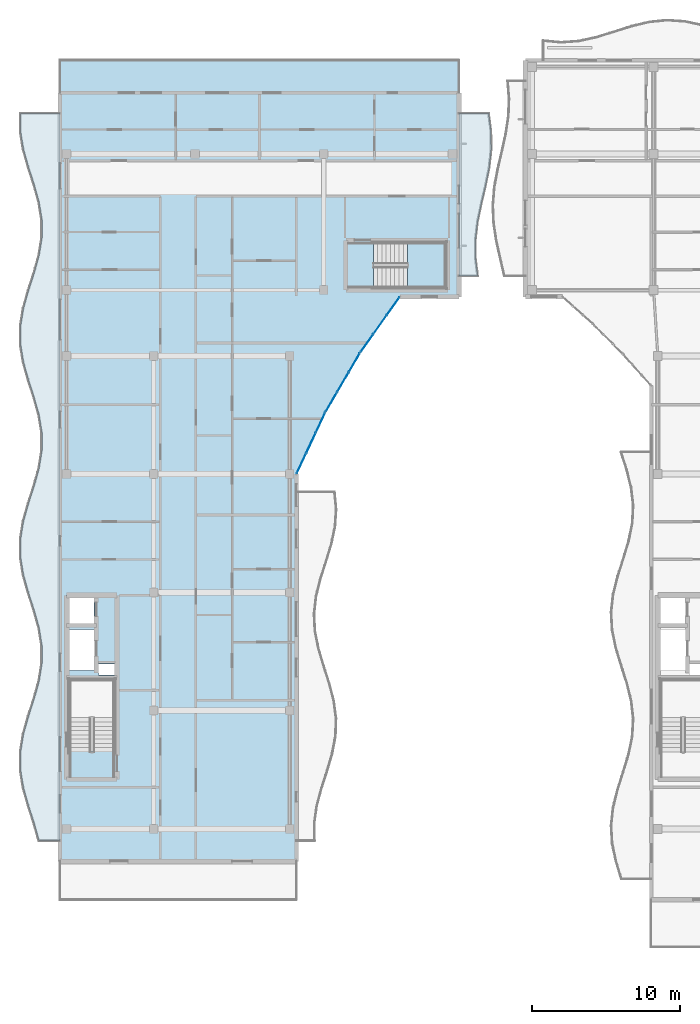
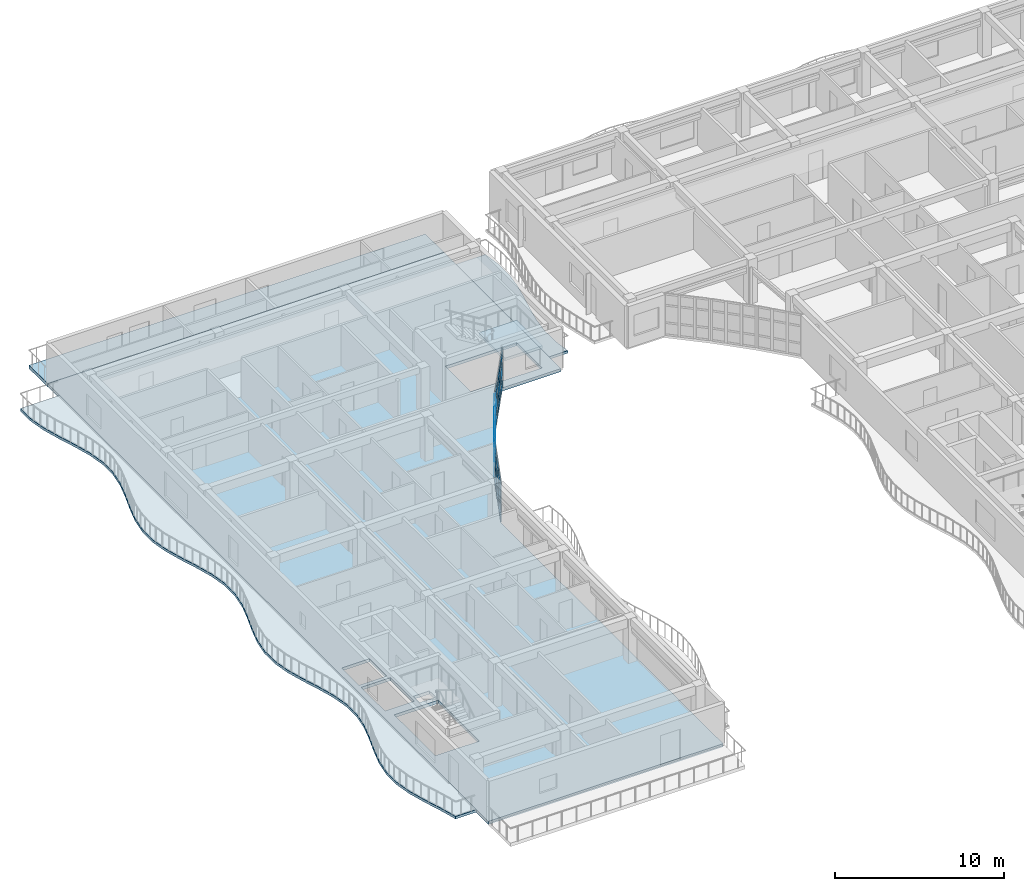
# One storey, part 23 of 71: 27 plates, 5 slabs, 4 elements without a shape of their own.
"""IFC4 building model written with IfcOpenShell, lengths in metres."""

from ifc_helpers import new_model, si_unit, direction, frame, origin, origin_2d, place, context, subcontext, project, spatial, polyline, rectangle, outline, extrude, material, layer, layer_set, type_object, element, aggregate, save


model = new_model("IFC4")

# Units and contexts
model_context = context("Model", 3, precision=1e-05, world=origin(), true_north=direction((0.0, 1.0)))
body_context = subcontext(model_context, "Body", "Model", "MODEL_VIEW")
ifc_project = project(units=[si_unit("LENGTHUNIT", "METRE"), si_unit("AREAUNIT", "SQUARE_METRE"), si_unit("VOLUMEUNIT", "CUBIC_METRE"), si_unit("PLANEANGLEUNIT", "RADIAN"), si_unit("MASSUNIT", "GRAM", prefix="KILO")], contexts=[model_context])

# Site, building, storey
site_placement = place(None, origin())
site = spatial("IfcSite", under=ifc_project, at=site_placement, CompositionType="ELEMENT")
building_placement = place(site_placement, origin())
building = spatial("IfcBuilding", under=site, at=building_placement, Name="Keldmere Railside Commons", CompositionType="ELEMENT")
storey_placement = place(building_placement, frame((0.0, 0.0, 20.159912109375)))
storey = spatial("IfcBuildingStorey", under=building, at=storey_placement, Name="L06", CompositionType="ELEMENT", Elevation=20.159912109375)

# Curtain wall, plates
ifc_material_1 = material(Name="Thermally Broken Aluminium", Category="aluminium")
ifc_layer_1 = layer(ifc_material_1, 0.159912109375, Name="Court Chord Wintergarden CW 4800x2850")
ifc_layer_set_1 = layer_set([ifc_layer_1], Name="Thermally Broken Aluminium")
curtain_wall_type_1 = type_object("IfcCurtainWallType", Name="Court Chord Wintergarden CW 4800x2850", PredefinedType="NOTDEFINED", material=ifc_layer_set_1)
curtain_wall_1_placement = place(storey_placement, origin())
curtain_wall_1 = element("IfcCurtainWall", 1, at=curtain_wall_1_placement, inside=storey, type_object=curtain_wall_type_1, Name="CW-12 CW-L06-019", PredefinedType="NOTDEFINED")
ifc_material_2 = material(Name="Low-E Insulated Double Glazing", Category="glass")
ifc_layer_2 = layer(ifc_material_2, 0.033935546875, Name="Acoustic Laminated Vision Panel 34")
ifc_layer_set_2 = layer_set([ifc_layer_2], Name="Low-E Insulated Double Glazing")
plate_type_1 = type_object("IfcPlateType", Name="Acoustic Laminated Vision Panel 34", PredefinedType="CURTAIN_PANEL", material=ifc_layer_set_2)
plate_1_placement = place(storey_placement, frame((25.636474609375, 91.48779296875, 0.06494140625), z_axis=(0.0, 0.0, 1.0), x_axis=(-0.424759442264, -0.905306255478, 0.0)))
plate_1 = element("IfcPlate", 2, at=plate_1_placement, type_object=plate_type_1, Name="CW-12 panel 1.1", PredefinedType="CURTAIN_PANEL", context=body_context, shape_type="SweptSolid", body=[
    extrude(rectangle(XDim=1.449951171875, YDim=0.033935546875, at=origin_2d()), origin(), (0.0, 0.0, 1.0), 0.802490234375),
])
plate_2_placement = place(storey_placement, frame((25.636474609375, 91.48779296875, 0.9326171875), z_axis=(0.0, 0.0, 1.0), x_axis=(-0.424759442264, -0.905306255478, 0.0)))
plate_2 = element("IfcPlate", 3, at=plate_2_placement, type_object=plate_type_1, Name="CW-12 panel 1.2", PredefinedType="CURTAIN_PANEL", context=body_context, shape_type="SweptSolid", body=[
    extrude(rectangle(XDim=1.449951171875, YDim=0.033935546875, at=origin_2d()), origin(), (0.0, 0.0, 1.0), 1.18505859375),
])
plate_3_placement = place(storey_placement, frame((25.636474609375, 91.48779296875, 2.1826171875), z_axis=(0.0, 0.0, 1.0), x_axis=(-0.424759442264, -0.905306255478, 0.0)))
plate_3 = element("IfcPlate", 4, at=plate_3_placement, type_object=plate_type_1, Name="CW-12 panel 1.3", PredefinedType="CURTAIN_PANEL", context=body_context, shape_type="SweptSolid", body=[
    extrude(rectangle(XDim=1.449951171875, YDim=0.033935546875, at=origin_2d()), origin(), (0.0, 0.0, 1.0), 0.732421875),
])
plate_4_placement = place(storey_placement, frame((24.986083984375, 90.1015625, 0.06494140625), z_axis=(0.0, 0.0, 1.0), x_axis=(-0.424759442264, -0.905306255478, 0.0)))
plate_4 = element("IfcPlate", 5, at=plate_4_placement, type_object=plate_type_1, Name="CW-12 panel 2.1", PredefinedType="CURTAIN_PANEL", context=body_context, shape_type="SweptSolid", body=[
    extrude(rectangle(XDim=1.482421875, YDim=0.033935546875, at=origin_2d()), origin(), (0.0, 0.0, 1.0), 0.802490234375),
])
plate_5_placement = place(storey_placement, frame((24.986083984375, 90.1015625, 0.9326171875), z_axis=(0.0, 0.0, 1.0), x_axis=(-0.424759442264, -0.905306255478, 0.0)))
plate_5 = element("IfcPlate", 6, at=plate_5_placement, type_object=plate_type_1, Name="CW-12 panel 2.2", PredefinedType="CURTAIN_PANEL", context=body_context, shape_type="SweptSolid", body=[
    extrude(rectangle(XDim=1.482421875, YDim=0.033935546875, at=origin_2d()), origin(), (0.0, 0.0, 1.0), 1.18505859375),
])
plate_6_placement = place(storey_placement, frame((24.986083984375, 90.1015625, 2.1826171875), z_axis=(0.0, 0.0, 1.0), x_axis=(-0.424759442264, -0.905306255478, 0.0)))
plate_6 = element("IfcPlate", 7, at=plate_6_placement, type_object=plate_type_1, Name="CW-12 panel 2.3", PredefinedType="CURTAIN_PANEL", context=body_context, shape_type="SweptSolid", body=[
    extrude(rectangle(XDim=1.482421875, YDim=0.033935546875, at=origin_2d()), origin(), (0.0, 0.0, 1.0), 0.732421875),
])
plate_7_placement = place(storey_placement, frame((24.33544921875, 88.71533203125, 0.06494140625), z_axis=(0.0, 0.0, 1.0), x_axis=(-0.424759442264, -0.905306255478, 0.0)))
plate_7 = element("IfcPlate", 8, at=plate_7_placement, type_object=plate_type_1, Name="CW-12 panel 3.1", PredefinedType="CURTAIN_PANEL", context=body_context, shape_type="SweptSolid", body=[
    extrude(rectangle(XDim=1.449951171875, YDim=0.033935546875, at=origin_2d()), origin(), (0.0, 0.0, 1.0), 0.802490234375),
])
plate_8_placement = place(storey_placement, frame((24.33544921875, 88.71533203125, 0.9326171875), z_axis=(0.0, 0.0, 1.0), x_axis=(-0.424759442264, -0.905306255478, 0.0)))
plate_8 = element("IfcPlate", 9, at=plate_8_placement, type_object=plate_type_1, Name="CW-12 panel 3.2", PredefinedType="CURTAIN_PANEL", context=body_context, shape_type="SweptSolid", body=[
    extrude(rectangle(XDim=1.449951171875, YDim=0.033935546875, at=origin_2d()), origin(), (0.0, 0.0, 1.0), 1.18505859375),
])
plate_9_placement = place(storey_placement, frame((24.33544921875, 88.71533203125, 2.1826171875), z_axis=(0.0, 0.0, 1.0), x_axis=(-0.424759442264, -0.905306255478, 0.0)))
plate_9 = element("IfcPlate", 10, at=plate_9_placement, type_object=plate_type_1, Name="CW-12 panel 3.3", PredefinedType="CURTAIN_PANEL", context=body_context, shape_type="SweptSolid", body=[
    extrude(rectangle(XDim=1.449951171875, YDim=0.033935546875, at=origin_2d()), origin(), (0.0, 0.0, 1.0), 0.732421875),
])
aggregate(curtain_wall_1, [plate_1, plate_2, plate_3, plate_4, plate_5, plate_6, plate_7, plate_8, plate_9])

ifc_layer_3 = layer(ifc_material_1, 0.159912109375, Name="Court Chord Wintergarden CW 5400x2850")
ifc_layer_set_3 = layer_set([ifc_layer_3], Name="Thermally Broken Aluminium")
curtain_wall_type_2 = type_object("IfcCurtainWallType", Name="Court Chord Wintergarden CW 5400x2850", PredefinedType="NOTDEFINED", material=ifc_layer_set_3)
curtain_wall_2_placement = place(storey_placement, origin())
curtain_wall_2 = element("IfcCurtainWall", 11, at=curtain_wall_2_placement, inside=storey, type_object=curtain_wall_type_2, Name="CW-13 CW-L06-020", PredefinedType="NOTDEFINED")
ifc_layer_4 = layer(ifc_material_2, 0.031982421875, Name="Clerestory Solar-Control Vision Panel 32")
ifc_layer_set_4 = layer_set([ifc_layer_4], Name="Low-E Insulated Double Glazing")
plate_type_2 = type_object("IfcPlateType", Name="Clerestory Solar-Control Vision Panel 32", PredefinedType="CURTAIN_PANEL", material=ifc_layer_set_4)
plate_10_placement = place(storey_placement, frame((27.913818359375, 95.531494140625, 0.06494140625), z_axis=(0.0, 0.0, 1.0), x_axis=(-0.503911193272, -0.86375546846, 0.0)))
plate_10 = element("IfcPlate", 12, at=plate_10_placement, type_object=plate_type_2, Name="CW-13 panel 1.1", PredefinedType="CURTAIN_PANEL", context=body_context, shape_type="SweptSolid", body=[
    extrude(rectangle(XDim=1.450439453125, YDim=0.031982421875, at=origin_2d()), origin(), (0.0, 0.0, 1.0), 0.802490234375),
])
plate_11_placement = place(storey_placement, frame((27.913818359375, 95.531494140625, 0.9326171875), z_axis=(0.0, 0.0, 1.0), x_axis=(-0.503911193272, -0.86375546846, 0.0)))
plate_11 = element("IfcPlate", 13, at=plate_11_placement, type_object=plate_type_2, Name="CW-13 panel 1.2", PredefinedType="CURTAIN_PANEL", context=body_context, shape_type="SweptSolid", body=[
    extrude(rectangle(XDim=1.450439453125, YDim=0.031982421875, at=origin_2d()), origin(), (0.0, 0.0, 1.0), 1.18505859375),
])
plate_12_placement = place(storey_placement, frame((27.913818359375, 95.531494140625, 2.1826171875), z_axis=(0.0, 0.0, 1.0), x_axis=(-0.503911193272, -0.86375546846, 0.0)))
plate_12 = element("IfcPlate", 14, at=plate_12_placement, type_object=plate_type_2, Name="CW-13 panel 1.3", PredefinedType="CURTAIN_PANEL", context=body_context, shape_type="SweptSolid", body=[
    extrude(rectangle(XDim=1.450439453125, YDim=0.031982421875, at=origin_2d()), origin(), (0.0, 0.0, 1.0), 0.732421875),
])
plate_13_placement = place(storey_placement, frame((27.14208984375, 94.20849609375, 0.06494140625), z_axis=(0.0, 0.0, 1.0), x_axis=(-0.503911193272, -0.86375546846, 0.0)))
plate_13 = element("IfcPlate", 15, at=plate_13_placement, type_object=plate_type_2, Name="CW-13 panel 2.1", PredefinedType="CURTAIN_PANEL", context=body_context, shape_type="SweptSolid", body=[
    extrude(rectangle(XDim=1.48291015625, YDim=0.031982421875, at=origin_2d()), origin(), (0.0, 0.0, 1.0), 0.802490234375),
])
plate_14_placement = place(storey_placement, frame((27.14208984375, 94.20849609375, 0.9326171875), z_axis=(0.0, 0.0, 1.0), x_axis=(-0.503911193272, -0.86375546846, 0.0)))
plate_14 = element("IfcPlate", 16, at=plate_14_placement, type_object=plate_type_2, Name="CW-13 panel 2.2", PredefinedType="CURTAIN_PANEL", context=body_context, shape_type="SweptSolid", body=[
    extrude(rectangle(XDim=1.48291015625, YDim=0.031982421875, at=origin_2d()), origin(), (0.0, 0.0, 1.0), 1.18505859375),
])
plate_15_placement = place(storey_placement, frame((27.14208984375, 94.20849609375, 2.1826171875), z_axis=(0.0, 0.0, 1.0), x_axis=(-0.503911193272, -0.86375546846, 0.0)))
plate_15 = element("IfcPlate", 17, at=plate_15_placement, type_object=plate_type_2, Name="CW-13 panel 2.3", PredefinedType="CURTAIN_PANEL", context=body_context, shape_type="SweptSolid", body=[
    extrude(rectangle(XDim=1.48291015625, YDim=0.031982421875, at=origin_2d()), origin(), (0.0, 0.0, 1.0), 0.732421875),
])
plate_16_placement = place(storey_placement, frame((26.3701171875, 92.885498046875, 0.06494140625), z_axis=(0.0, 0.0, 1.0), x_axis=(-0.503911193272, -0.86375546846, 0.0)))
plate_16 = element("IfcPlate", 18, at=plate_16_placement, type_object=plate_type_2, Name="CW-13 panel 3.1", PredefinedType="CURTAIN_PANEL", context=body_context, shape_type="SweptSolid", body=[
    extrude(rectangle(XDim=1.450439453125, YDim=0.031982421875, at=origin_2d()), origin(), (0.0, 0.0, 1.0), 0.802490234375),
])
plate_17_placement = place(storey_placement, frame((26.3701171875, 92.885498046875, 0.9326171875), z_axis=(0.0, 0.0, 1.0), x_axis=(-0.503911193272, -0.86375546846, 0.0)))
plate_17 = element("IfcPlate", 19, at=plate_17_placement, type_object=plate_type_2, Name="CW-13 panel 3.2", PredefinedType="CURTAIN_PANEL", context=body_context, shape_type="SweptSolid", body=[
    extrude(rectangle(XDim=1.450439453125, YDim=0.031982421875, at=origin_2d()), origin(), (0.0, 0.0, 1.0), 1.18505859375),
])
plate_18_placement = place(storey_placement, frame((26.3701171875, 92.885498046875, 2.1826171875), z_axis=(0.0, 0.0, 1.0), x_axis=(-0.503911193272, -0.86375546846, 0.0)))
plate_18 = element("IfcPlate", 20, at=plate_18_placement, type_object=plate_type_2, Name="CW-13 panel 3.3", PredefinedType="CURTAIN_PANEL", context=body_context, shape_type="SweptSolid", body=[
    extrude(rectangle(XDim=1.450439453125, YDim=0.031982421875, at=origin_2d()), origin(), (0.0, 0.0, 1.0), 0.732421875),
])
aggregate(curtain_wall_2, [plate_10, plate_11, plate_12, plate_13, plate_14, plate_15, plate_16, plate_17, plate_18])

# Stair, slab
ifc_material_3 = material(Name="Concrete H-30 (C30/37)", Category="concrete")
stair_type = type_object("IfcStairType", Name="Residential Core Dogleg Stair 1450", PredefinedType="HALF_TURN_STAIR", material=ifc_material_3)
stair_placement = place(storey_placement, origin())
stair = element("IfcStair", 21, at=stair_placement, inside=storey, type_object=stair_type, Name="L06 Block D Secondary Escape Stair 2", PredefinedType="HALF_TURN_STAIR")
ifc_layer_5 = layer(ifc_material_3, 0.199951171875, Name="Enclosed Stair Landing Slab 200")
ifc_layer_set_5 = layer_set([ifc_layer_5], Name="Concrete H-30 (C30/37)")
slab_type_1 = type_object("IfcSlabType", Name="Enclosed Stair Landing Slab 200", PredefinedType="LANDING", material=ifc_layer_set_5)
slab_1_placement = place(storey_placement, frame((0.0, 0.0, 1.400146484375)))
slab_1 = element("IfcSlab", 22, at=slab_1_placement, type_object=slab_type_1, Name="ST-D2 landing 1", PredefinedType="LANDING", context=body_context, shape_type="SweptSolid", body=[
    extrude(outline(polyline([(31.52001953125, 100.60009765625), (34.10009765625, 100.60009765625), (34.10009765625, 103.64990234375), (31.52001953125, 103.64990234375), (31.52001953125, 100.60009765625)])), origin(), (0.0, 0.0, 1.0), 0.199951171875),
])
aggregate(stair, [slab_1])

# Curtain wall, plates
curtain_wall_3_placement = place(storey_placement, origin())
curtain_wall_3 = element("IfcCurtainWall", 23, at=curtain_wall_3_placement, inside=storey, type_object=curtain_wall_type_1, Name="CW-12 CW-L06-021", PredefinedType="NOTDEFINED")
ifc_layer_6 = layer(ifc_material_2, 0.028076171875, Name="Low-E Vision Glazing Panel 28")
ifc_layer_set_6 = layer_set([ifc_layer_6], Name="Low-E Insulated Double Glazing")
plate_type_3 = type_object("IfcPlateType", Name="Low-E Vision Glazing Panel 28", PredefinedType="CURTAIN_PANEL", material=ifc_layer_set_6)
plate_19_placement = place(storey_placement, frame((30.54248046875, 99.355712890625, 0.06494140625), z_axis=(0.0, 0.0, 1.0), x_axis=(-0.578913327753, -0.815389084395, 0.0)))
plate_19 = element("IfcPlate", 24, at=plate_19_placement, type_object=plate_type_3, Name="CW-12 panel 1.1", PredefinedType="CURTAIN_PANEL", context=body_context, shape_type="SweptSolid", body=[
    extrude(rectangle(XDim=1.4501953125, YDim=0.028076171875, at=origin_2d()), origin(), (0.0, 0.0, 1.0), 0.802490234375),
])
plate_20_placement = place(storey_placement, frame((30.54248046875, 99.355712890625, 0.9326171875), z_axis=(0.0, 0.0, 1.0), x_axis=(-0.578913327753, -0.815389084395, 0.0)))
plate_20 = element("IfcPlate", 25, at=plate_20_placement, type_object=plate_type_3, Name="CW-12 panel 1.2", PredefinedType="CURTAIN_PANEL", context=body_context, shape_type="SweptSolid", body=[
    extrude(rectangle(XDim=1.4501953125, YDim=0.028076171875, at=origin_2d()), origin(), (0.0, 0.0, 1.0), 1.18505859375),
])
plate_21_placement = place(storey_placement, frame((30.54248046875, 99.355712890625, 2.1826171875), z_axis=(0.0, 0.0, 1.0), x_axis=(-0.578913327753, -0.815389084395, 0.0)))
plate_21 = element("IfcPlate", 26, at=plate_21_placement, type_object=plate_type_3, Name="CW-12 panel 1.3", PredefinedType="CURTAIN_PANEL", context=body_context, shape_type="SweptSolid", body=[
    extrude(rectangle(XDim=1.4501953125, YDim=0.028076171875, at=origin_2d()), origin(), (0.0, 0.0, 1.0), 0.732421875),
])
plate_22_placement = place(storey_placement, frame((29.656005859375, 98.10693359375, 0.06494140625), z_axis=(0.0, 0.0, 1.0), x_axis=(-0.578913327753, -0.815389084395, 0.0)))
plate_22 = element("IfcPlate", 27, at=plate_22_placement, type_object=plate_type_3, Name="CW-12 panel 2.1", PredefinedType="CURTAIN_PANEL", context=body_context, shape_type="SweptSolid", body=[
    extrude(rectangle(XDim=1.482666015625, YDim=0.028076171875, at=origin_2d()), origin(), (0.0, 0.0, 1.0), 0.802490234375),
])
plate_23_placement = place(storey_placement, frame((29.656005859375, 98.10693359375, 0.9326171875), z_axis=(0.0, 0.0, 1.0), x_axis=(-0.578913327753, -0.815389084395, 0.0)))
plate_23 = element("IfcPlate", 28, at=plate_23_placement, type_object=plate_type_3, Name="CW-12 panel 2.2", PredefinedType="CURTAIN_PANEL", context=body_context, shape_type="SweptSolid", body=[
    extrude(rectangle(XDim=1.482666015625, YDim=0.028076171875, at=origin_2d()), origin(), (0.0, 0.0, 1.0), 1.18505859375),
])
plate_24_placement = place(storey_placement, frame((29.656005859375, 98.10693359375, 2.1826171875), z_axis=(0.0, 0.0, 1.0), x_axis=(-0.578913327753, -0.815389084395, 0.0)))
plate_24 = element("IfcPlate", 29, at=plate_24_placement, type_object=plate_type_3, Name="CW-12 panel 2.3", PredefinedType="CURTAIN_PANEL", context=body_context, shape_type="SweptSolid", body=[
    extrude(rectangle(XDim=1.482666015625, YDim=0.028076171875, at=origin_2d()), origin(), (0.0, 0.0, 1.0), 0.732421875),
])
plate_25_placement = place(storey_placement, frame((28.769287109375, 96.858154296875, 0.06494140625), z_axis=(0.0, 0.0, 1.0), x_axis=(-0.578913327753, -0.815389084395, 0.0)))
plate_25 = element("IfcPlate", 30, at=plate_25_placement, type_object=plate_type_3, Name="CW-12 panel 3.1", PredefinedType="CURTAIN_PANEL", context=body_context, shape_type="SweptSolid", body=[
    extrude(rectangle(XDim=1.4501953125, YDim=0.028076171875, at=origin_2d()), origin(), (0.0, 0.0, 1.0), 0.802490234375),
])
plate_26_placement = place(storey_placement, frame((28.769287109375, 96.858154296875, 0.9326171875), z_axis=(0.0, 0.0, 1.0), x_axis=(-0.578913327753, -0.815389084395, 0.0)))
plate_26 = element("IfcPlate", 31, at=plate_26_placement, type_object=plate_type_3, Name="CW-12 panel 3.2", PredefinedType="CURTAIN_PANEL", context=body_context, shape_type="SweptSolid", body=[
    extrude(rectangle(XDim=1.4501953125, YDim=0.028076171875, at=origin_2d()), origin(), (0.0, 0.0, 1.0), 1.18505859375),
])
plate_27_placement = place(storey_placement, frame((28.769287109375, 96.858154296875, 2.1826171875), z_axis=(0.0, 0.0, 1.0), x_axis=(-0.578913327753, -0.815389084395, 0.0)))
plate_27 = element("IfcPlate", 32, at=plate_27_placement, type_object=plate_type_3, Name="CW-12 panel 3.3", PredefinedType="CURTAIN_PANEL", context=body_context, shape_type="SweptSolid", body=[
    extrude(rectangle(XDim=1.4501953125, YDim=0.028076171875, at=origin_2d()), origin(), (0.0, 0.0, 1.0), 0.732421875),
])
aggregate(curtain_wall_3, [plate_19, plate_20, plate_21, plate_22, plate_23, plate_24, plate_25, plate_26, plate_27])

# Slabs
ifc_material_4 = material(Name="Concrete H-35 (C35/45)", Category="concrete")
ifc_layer_7 = layer(ifc_material_4, 0.25, Name="Planted Terrace Roof Slab 250")
ifc_layer_set_7 = layer_set([ifc_layer_7], Name="Concrete H-35 (C35/45)")
slab_type_2 = type_object("IfcSlabType", Name="Planted Terrace Roof Slab 250", PredefinedType="ROOF", material=ifc_layer_set_7)
slab_2_placement = place(storey_placement, frame((0.0, 0.0, -0.25)))
element("IfcSlab", 33, at=slab_2_placement, inside=storey, type_object=slab_type_2, Name="RT-1 TERRD-L06-016", PredefinedType="ROOF", context=body_context, shape_type="SweptSolid", body=[
    extrude(outline(polyline([(8.0, 116.0), (8.0, 113.81005859375), (35.0, 113.81005859375), (35.0, 116.0), (8.0, 116.0)])), origin(), (0.0, 0.0, 1.0), 0.25),
])
ifc_layer_8 = layer(ifc_material_3, 0.219970703125, Name="Residential Flat Slab 220")
ifc_layer_set_8 = layer_set([ifc_layer_8], Name="Concrete H-30 (C30/37)")
slab_type_3 = type_object("IfcSlabType", Name="Residential Flat Slab 220", PredefinedType="FLOOR", material=ifc_layer_set_8)
slab_3_placement = place(storey_placement, frame((0.0, 0.0, -0.219970703125)))
element("IfcSlab", 34, at=slab_3_placement, inside=storey, type_object=slab_type_3, Name="FS-2 BLKD-L06-014", PredefinedType="FLOOR", context=body_context, shape_type="SweptSolid", body=[
    extrude(outline(polyline([(8.0, 61.800048828125), (24.0, 61.800048828125), (24.0, 88.0), (25.971923828125, 92.202880859375), (28.31201171875, 96.214111328125), (31.0, 100.0), (35.0, 100.0), (35.0, 113.800048828125), (8.0, 113.800048828125), (8.0, 61.800048828125)]), holes=[polyline([(11.675048828125, 69.22509765625), (8.675048828125, 69.22509765625), (8.675048828125, 74.074951171875), (11.675048828125, 74.074951171875), (11.675048828125, 69.22509765625)]), polyline([(11.699951171875, 74.419921875), (10.60009765625, 74.419921875), (10.60009765625, 75.159912109375), (11.699951171875, 75.159912109375), (11.699951171875, 74.419921875)]), polyline([(8.39990234375, 74.699951171875), (8.39990234375, 77.5), (10.39990234375, 77.5), (10.39990234375, 74.699951171875), (8.39990234375, 74.699951171875)]), polyline([(10.300048828125, 77.75), (8.39990234375, 77.75), (8.39990234375, 79.800048828125), (10.300048828125, 79.800048828125), (10.300048828125, 77.75)]), polyline([(29.22509765625, 103.625), (34.074951171875, 103.625), (34.074951171875, 100.625), (29.22509765625, 100.625), (29.22509765625, 103.625)])]), origin(), (0.0, 0.0, 1.0), 0.219970703125),
])
ifc_material_5 = material(Name="White Precast Concrete H-35 (C35/45)", Category="concrete")
ifc_layer_9 = layer(ifc_material_5, 0.179931640625, Name="Sinusoidal Wave Balcony Slab 180")
ifc_layer_set_9 = layer_set([ifc_layer_9], Name="White Precast Concrete H-35 (C35/45)")
slab_type_4 = type_object("IfcSlabType", Name="Sinusoidal Wave Balcony Slab 180", PredefinedType="FLOOR", material=ifc_layer_set_9)
slab_4_placement = place(storey_placement, frame((0.0, 0.0, -0.179931640625)))
element("IfcSlab", 35, at=slab_4_placement, inside=storey, type_object=slab_type_4, Name="WB-1 D L06 CW Wave Balcony", PredefinedType="FLOOR", context=body_context, shape_type="SweptSolid", body=[
    extrude(outline(polyline([(8.0, 63.199951171875), (8.0, 64.39990234375), (8.0, 65.60009765625), (8.0, 66.800048828125), (8.0, 68.0), (8.0, 69.199951171875), (8.0, 70.39990234375), (8.0, 71.60009765625), (8.0, 72.800048828125), (8.0, 74.0), (8.0, 75.199951171875), (8.0, 76.39990234375), (8.0, 77.60009765625), (8.0, 78.800048828125), (8.0, 80.0), (8.0, 81.199951171875), (8.0, 82.39990234375), (8.0, 83.60009765625), (8.0, 84.800048828125), (8.0, 86.0), (8.0, 87.199951171875), (8.0, 88.39990234375), (8.0, 89.60009765625), (8.0, 90.800048828125), (8.0, 92.0), (8.0, 93.199951171875), (8.0, 94.39990234375), (8.0, 95.60009765625), (8.0, 96.800048828125), (8.0, 98.0), (8.0, 99.199951171875), (8.0, 100.39990234375), (8.0, 101.60009765625), (8.0, 102.800048828125), (8.0, 104.0), (8.0, 105.199951171875), (8.0, 106.39990234375), (8.0, 107.60009765625), (8.0, 108.800048828125), (8.0, 110.0), (8.0, 111.199951171875), (8.0, 112.39990234375), (5.325927734375, 112.39990234375), (5.3251953125, 111.199951171875), (5.5185546875, 110.0), (5.854248046875, 108.800048828125), (6.242431640625, 107.60009765625), (6.5791015625, 106.39990234375), (6.77392578125, 105.199951171875), (6.77490234375, 104.0), (6.58154296875, 102.800048828125), (6.24560546875, 101.60009765625), (5.857421875, 100.39990234375), (5.520751953125, 99.199951171875), (5.325927734375, 98.0), (5.3251953125, 96.800048828125), (5.5185546875, 95.60009765625), (5.854248046875, 94.39990234375), (6.242431640625, 93.199951171875), (6.5791015625, 92.0), (6.77392578125, 90.800048828125), (6.77490234375, 89.60009765625), (6.58154296875, 88.39990234375), (6.24560546875, 87.199951171875), (5.857421875, 86.0), (5.520751953125, 84.800048828125), (5.325927734375, 83.60009765625), (5.3251953125, 82.39990234375), (5.5185546875, 81.199951171875), (5.854248046875, 80.0), (6.242431640625, 78.800048828125), (6.5791015625, 77.60009765625), (6.77392578125, 76.39990234375), (6.77490234375, 75.199951171875), (6.58154296875, 74.0), (6.24560546875, 72.800048828125), (5.857421875, 71.60009765625), (5.520751953125, 70.39990234375), (5.325927734375, 69.199951171875), (5.3251953125, 68.0), (5.5185546875, 66.800048828125), (5.854248046875, 65.60009765625), (6.242431640625, 64.39990234375), (6.5791015625, 63.199951171875), (8.0, 63.199951171875)])), origin(), (0.0, 0.0, 1.0), 0.179931640625),
])
slab_5_placement = place(storey_placement, frame((0.0, 0.0, -0.179931640625)))
element("IfcSlab", 36, at=slab_5_placement, inside=storey, type_object=slab_type_4, Name="WB-1 D L06 WE Wave Balcony", PredefinedType="FLOOR", context=body_context, shape_type="SweptSolid", body=[
    extrude(outline(polyline([(36.271728515625, 101.39990234375), (36.121337890625, 102.622314453125), (36.11767578125, 103.844482421875), (36.261962890625, 105.066650390625), (36.513916015625, 106.288818359375), (36.8037109375, 107.510986328125), (37.05078125, 108.7333984375), (37.1865234375, 109.95556640625), (37.17333984375, 111.177734375), (37.014892578125, 112.39990234375), (35.0, 112.39990234375), (35.0, 111.177734375), (35.0, 109.95556640625), (35.0, 108.7333984375), (35.0, 107.510986328125), (35.0, 106.288818359375), (35.0, 105.066650390625), (35.0, 103.844482421875), (35.0, 102.622314453125), (35.0, 101.39990234375), (36.271728515625, 101.39990234375)])), origin(), (0.0, 0.0, 1.0), 0.179931640625),
])

save(model, "model.ifc")
